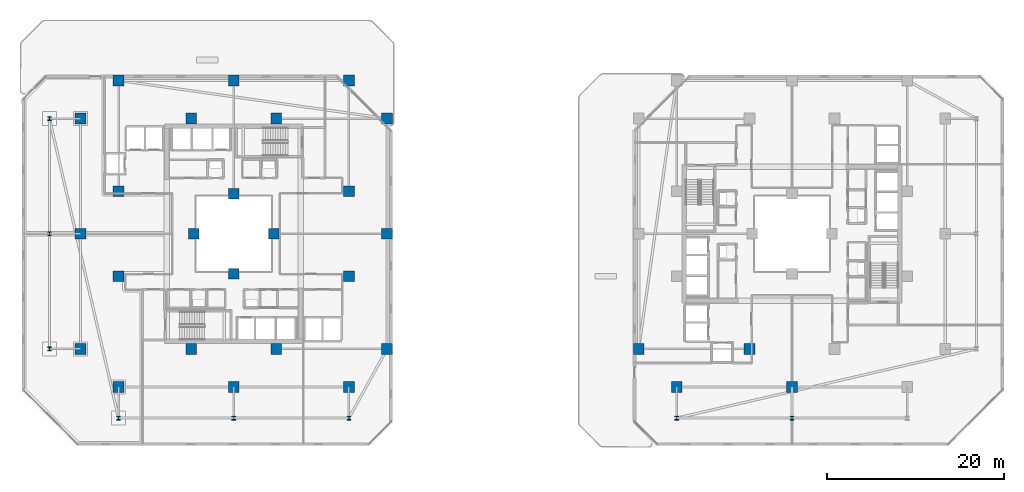
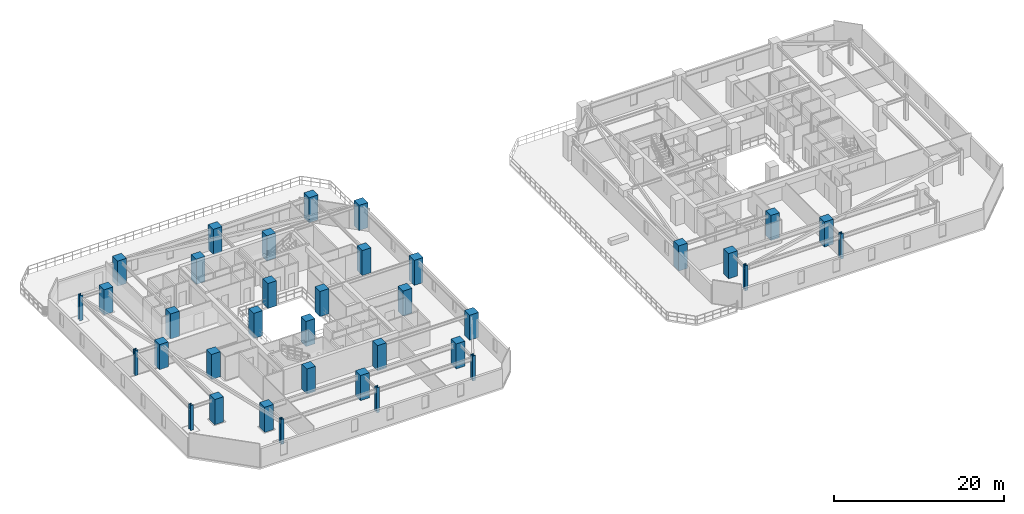
# One storey, part 1 of 31: 36 columns.
"""IFC4 building model written with IfcOpenShell, lengths in metres."""

from ifc_helpers import new_model, si_unit, direction, frame, origin, origin_2d, place, context, subcontext, project, spatial, rectangle, i_section, extrude, material, material_profile, profile_set, type_object, element, save


model = new_model("IFC4")

# Units and contexts
model_context = context("Model", 3, precision=1e-05, world=origin(), true_north=direction((0.0, 1.0)))
body_context = subcontext(model_context, "Body", "Model", "MODEL_VIEW")
ifc_project = project(units=[si_unit("LENGTHUNIT", "METRE"), si_unit("AREAUNIT", "SQUARE_METRE"), si_unit("VOLUMEUNIT", "CUBIC_METRE"), si_unit("PLANEANGLEUNIT", "RADIAN"), si_unit("MASSUNIT", "GRAM", prefix="KILO")], contexts=[model_context])

# Site, building, storey
site_placement = place(None, origin())
site = spatial("IfcSite", under=ifc_project, at=site_placement, CompositionType="ELEMENT")
building_placement = place(site_placement, origin())
building = spatial("IfcBuilding", under=site, at=building_placement, Name="Thornwick Lancets Civic Towers", CompositionType="ELEMENT")
storey_placement = place(building_placement, frame((0.0, 0.0, 119.699951171875)))
storey = spatial("IfcBuildingStorey", under=building, at=storey_placement, Name="L31", CompositionType="ELEMENT", Elevation=119.699951171875)

# Columns
ifc_material_1 = material(Name="Concrete C60/75", Category="concrete")
ifc_material_profile_1 = material_profile(ifc_material_1, rectangle(XDim=1.199951171875, YDim=1.199951171875, at=origin_2d()), Name="RC 1200x1200")
ifc_profile_set_1 = profile_set([ifc_material_profile_1], Name="Concrete C60/75")
column_type_1 = type_object("IfcColumnType", Name="COL_RC_1200", PredefinedType="COLUMN", material=ifc_profile_set_1)
for number, where, z_axis, x_axis, name in (
    (1, (12.5, 9.699951171875, 0.0), (0.0, 0.0, 1.0), (1.0, 0.0, 0.0), "L31 Spine Mega-Column A01"),
    (2, (25.5, 9.699951171875, 0.0), (0.0, 0.0, 1.0), (1.0, 0.0, 0.0), "L31 Spine Mega-Column A02"),
    (3, (38.5, 9.699951171875, 0.0), (0.0, 0.0, 1.0), (1.0, 0.0, 0.0), "L31 Spine Mega-Column A03"),
    (4, (42.800048828125, 14.0, 0.0), (0.0, 0.0, 1.0), (1.0, 0.0, 0.0), "L31 Spine Mega-Column A04"),
    (5, (42.800048828125, 27.0, 0.0), (0.0, 0.0, 1.0), (1.0, 0.0, 0.0), "L31 Spine Mega-Column A05"),
    (6, (42.800048828125, 40.0, 0.0), (0.0, 0.0, 1.0), (1.0, 0.0, 0.0), "L31 Spine Mega-Column A06"),
    (7, (12.5, 44.300048828125, 0.0), (0.0, 0.0, 1.0), (1.0, 0.0, 0.0), "L31 Spine Mega-Column A07"),
    (8, (25.5, 44.300048828125, 0.0), (0.0, 0.0, 1.0), (1.0, 0.0, 0.0), "L31 Spine Mega-Column A08"),
    (9, (38.5, 44.300048828125, 0.0), (0.0, 0.0, 1.0), (1.0, 0.0, 0.0), "L31 Spine Mega-Column A09"),
    (10, (8.199951171875, 14.0, 0.0), (0.0, 0.0, 1.0), (1.0, 0.0, 0.0), "L31 Spine Mega-Column A10"),
    (11, (8.199951171875, 27.0, 0.0), (0.0, 0.0, 1.0), (1.0, 0.0, 0.0), "L31 Spine Mega-Column A11"),
    (12, (8.199951171875, 40.0, 0.0), (0.0, 0.0, 1.0), (1.0, 0.0, 0.0), "L31 Spine Mega-Column A12"),
    (13, (12.5, 22.199951171875, 0.0), (0.0, 0.0, 1.0), (1.0, 0.0, 0.0), "L31 Spine Mega-Column A13"),
    (14, (38.5, 22.199951171875, 0.0), (0.0, 0.0, 1.0), (1.0, 0.0, 0.0), "L31 Spine Mega-Column A14"),
    (15, (12.5, 31.800048828125, 0.0), (0.0, 0.0, 1.0), (1.0, 0.0, 0.0), "L31 Spine Mega-Column A15"),
    (16, (38.5, 31.800048828125, 0.0), (0.0, 0.0, 1.0), (1.0, 0.0, 0.0), "L31 Spine Mega-Column A16"),
    (17, (20.699951171875, 14.0, 0.0), (0.0, 0.0, 1.0), (1.0, 0.0, 0.0), "L31 Spine Mega-Column A17"),
    (18, (30.300048828125, 14.0, 0.0), (0.0, 0.0, 1.0), (1.0, 0.0, 0.0), "L31 Spine Mega-Column A18"),
    (19, (20.699951171875, 40.0, 0.0), (0.0, 0.0, 1.0), (1.0, 0.0, 0.0), "L31 Spine Mega-Column A19"),
    (20, (30.300048828125, 40.0, 0.0), (0.0, 0.0, 1.0), (1.0, 0.0, 0.0), "L31 Spine Mega-Column A20"),
    (21, (25.5, 22.5, 0.0), (0.0, 0.0, 1.0), (1.0, 0.0, 0.0), "L31 Spine Mega-Column A21"),
    (22, (25.5, 31.5, 0.0), (0.0, 0.0, 1.0), (1.0, 0.0, 0.0), "L31 Spine Mega-Column A22"),
    (23, (21.0, 27.0, 0.0), (0.0, 0.0, 1.0), (1.0, 0.0, 0.0), "L31 Spine Mega-Column A23"),
    (24, (30.0, 27.0, 0.0), (0.0, 0.0, 1.0), (1.0, 0.0, 0.0), "L31 Spine Mega-Column A24"),
    (25, (71.199951171875, 14.0, 0.0), (0.0, 0.0, 1.0), (1.0, 0.0, 0.0), "L31 Spine Mega-Column B07"),
    (26, (88.5, 9.699951171875, 0.0), (0.0, 0.0, 1.0), (1.0, 0.0, 0.0), "L31 Spine Mega-Column B11"),
    (27, (75.5, 9.699951171875, 0.0), (0.0, 0.0, 1.0), (1.0, 0.0, 0.0), "L31 Spine Mega-Column B12"),
    (28, (83.699951171875, 14.0, 0.0), (0.0, 0.0, 1.0), (1.0, 0.0, 0.0), "L31 Spine Mega-Column B15"),
):
    element("IfcColumn", number, at=place(storey_placement, frame(where, z_axis=z_axis, x_axis=x_axis)), inside=storey, type_object=column_type_1, Name=name, PredefinedType="COLUMN", context=body_context, shape_type="SweptSolid", body=[
        extrude(rectangle(XDim=1.199951171875, YDim=1.199951171875, at=origin_2d()), origin(), (0.0, 0.0, 1.0), 3.60009765625),
    ])
ifc_material_2 = material(Name="Steel S460M", Category="steel")
ifc_material_profile_2 = material_profile(ifc_material_2, i_section(OverallWidth=0.41845703125, OverallDepth=0.45556640625, WebThickness=0.0419921875, FlangeThickness=0.0673828125, FilletRadius=0.01513671875, at=origin_2d()), Name="UKC 356x406x551")
ifc_profile_set_2 = profile_set([ifc_material_profile_2], Name="Steel S460M")
column_type_2 = type_object("IfcColumnType", Name="COL_UKC_551", PredefinedType="COLUMN", material=ifc_profile_set_2)
for number, where, z_axis, x_axis, name in (
    (29, (12.5, 6.199951171875, 0.0), (0.0, 0.0, 1.0), (1.0, 0.0, 0.0), "L31 Block Perimeter Column A01"),
    (30, (25.5, 6.199951171875, 0.0), (0.0, 0.0, 1.0), (1.0, 0.0, 0.0), "L31 Block Perimeter Column A02"),
    (31, (38.5, 6.199951171875, 0.0), (0.0, 0.0, 1.0), (1.0, 0.0, 0.0), "L31 Block Perimeter Column A03"),
    (32, (4.699951171875, 14.0, 0.0), (0.0, 0.0, 1.0), (1.0, 0.0, 0.0), "L31 Block Perimeter Column A10"),
    (33, (4.699951171875, 27.0, 0.0), (0.0, 0.0, 1.0), (1.0, 0.0, 0.0), "L31 Block Perimeter Column A11"),
    (34, (4.699951171875, 40.0, 0.0), (0.0, 0.0, 1.0), (1.0, 0.0, 0.0), "L31 Block Perimeter Column A12"),
    (35, (88.5, 6.199951171875, 0.0), (0.0, 0.0, 1.0), (1.0, 0.0, 0.0), "L31 Block Perimeter Column B11"),
    (36, (75.5, 6.199951171875, 0.0), (0.0, 0.0, 1.0), (1.0, 0.0, 0.0), "L31 Block Perimeter Column B12"),
):
    element("IfcColumn", number, at=place(storey_placement, frame(where, z_axis=z_axis, x_axis=x_axis)), inside=storey, type_object=column_type_2, Name=name, PredefinedType="COLUMN", context=body_context, shape_type="SweptSolid", body=[
        extrude(i_section(OverallWidth=0.41845703125, OverallDepth=0.45556640625, WebThickness=0.0419921875, FlangeThickness=0.0673828125, FilletRadius=0.01513671875, at=origin_2d()), origin(), (0.0, 0.0, 1.0), 3.60009765625),
    ])

save(model, "model.ifc")
